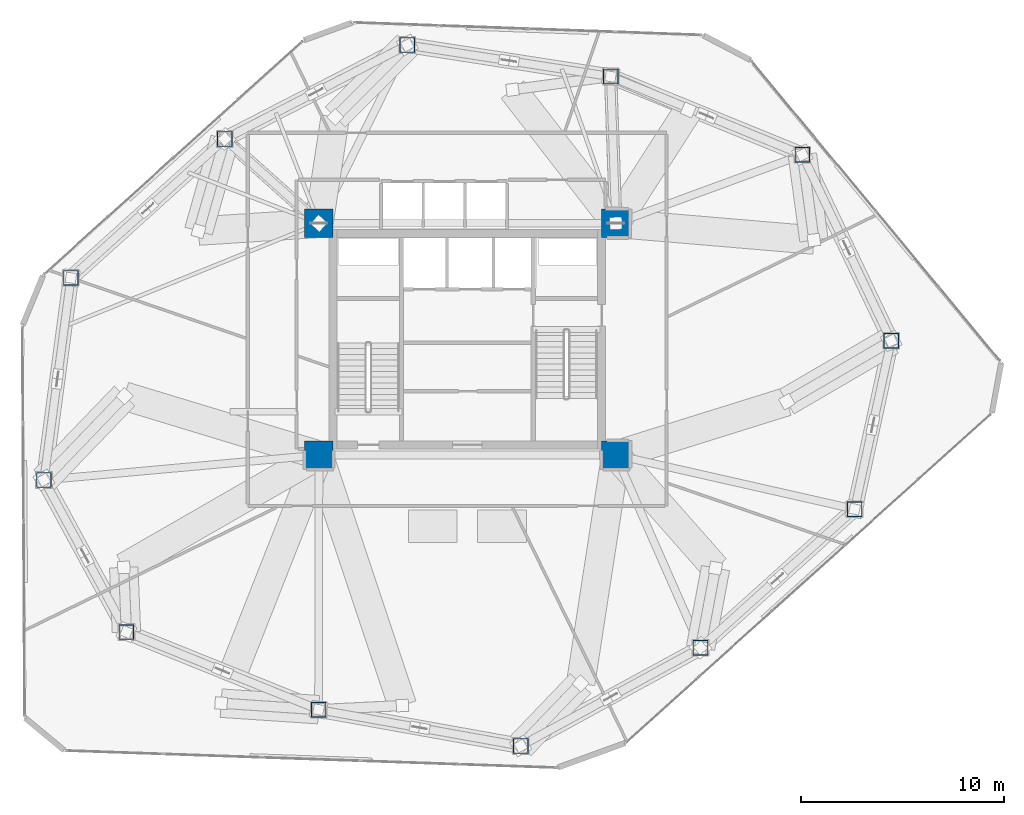
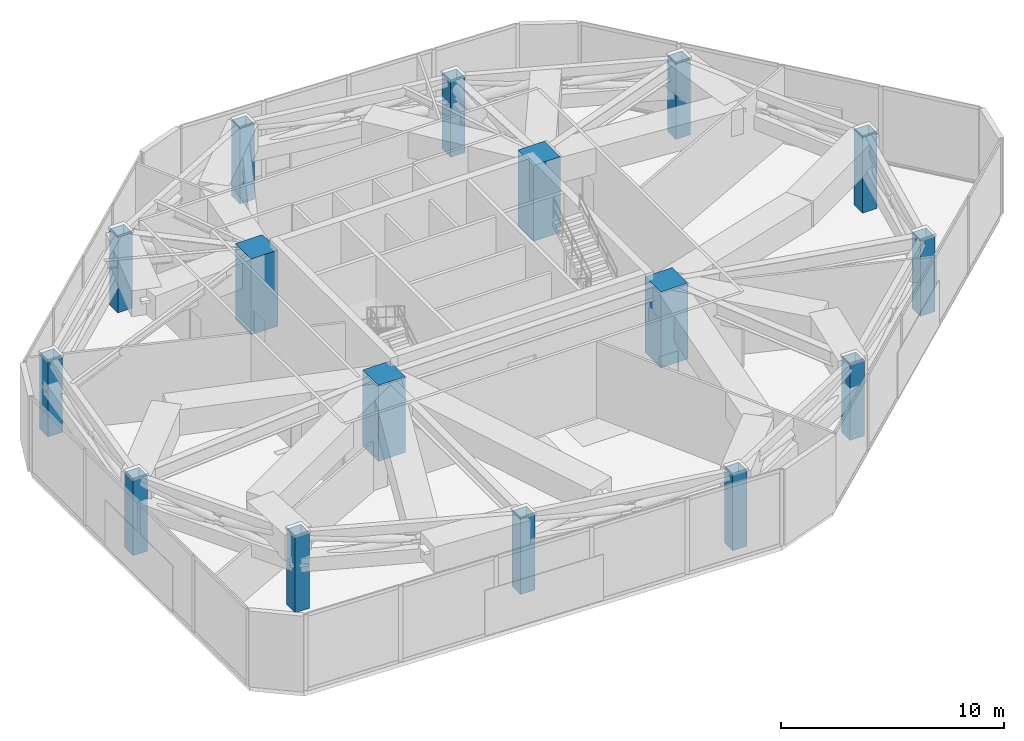
# One storey, part 1 of 25: 16 columns.
"""IFC4 building model written with IfcOpenShell, lengths in metres."""

from ifc_helpers import new_model, si_unit, direction, frame, origin, origin_2d, place, context, subcontext, project, spatial, rectangle, hollow_rectangle, extrude, material, material_profile, profile_set, type_object, element, save


model = new_model("IFC4")

# Units and contexts
model_context = context("Model", 3, precision=1e-05, world=origin(), true_north=direction((0.0, 1.0)))
body_context = subcontext(model_context, "Body", "Model", "MODEL_VIEW")
ifc_project = project(units=[si_unit("LENGTHUNIT", "METRE"), si_unit("AREAUNIT", "SQUARE_METRE"), si_unit("VOLUMEUNIT", "CUBIC_METRE"), si_unit("PLANEANGLEUNIT", "RADIAN"), si_unit("MASSUNIT", "GRAM", prefix="KILO")], contexts=[model_context])

# Site, building, storey
site_placement = place(None, origin())
site = spatial("IfcSite", under=ifc_project, at=site_placement, CompositionType="ELEMENT")
building_placement = place(site_placement, origin())
building = spatial("IfcBuilding", under=site, at=building_placement, Name="Talar Marvaseh", CompositionType="ELEMENT")
storey_placement = place(building_placement, frame((0.0, 0.0, 84.800048828125)))
storey = spatial("IfcBuildingStorey", under=building, at=storey_placement, Name="L21", CompositionType="ELEMENT", Elevation=84.800048828125)

# Columns
ifc_material_1 = material(Name="Steel S460", Category="steel")
ifc_material_profile_1 = material_profile(ifc_material_1, hollow_rectangle(XDim=0.75, YDim=0.75, WallThickness=0.0400390625, at=origin_2d()), Name="BOX750x750x40")
ifc_profile_set_1 = profile_set([ifc_material_profile_1], Name="Steel S460")
column_type_1 = type_object("IfcColumnType", Name="Belt Truss Post BOX750x750x40", PredefinedType="COLUMN", material=ifc_profile_set_1)
for number, where, z_axis, x_axis, name in (
    (1, (42.47705078125, 40.26904296875, 0.0), (0.0, 0.0, 1.0), (1.0, 0.0, 0.0), "L21 Belt Truss Post BOX750x750x40"),
    (2, (46.841064453125, 31.118896484375, 0.0), (0.0, 0.0, 1.0), (1.0, 0.0, 0.0), "L21 Belt Truss Post BOX750x750x40"),
    (3, (45.0439453125, 22.840087890625, 0.0), (0.0, 0.0, 1.0), (1.0, 0.0, 0.0), "L21 Belt Truss Post BOX750x750x40"),
    (4, (37.468017578125, 16.02099609375, 0.0), (0.0, 0.0, 1.0), (1.0, 0.0, 0.0), "L21 Belt Truss Post BOX750x750x40"),
    (5, (28.625, 11.195068359375, 0.0), (0.0, 0.0, 1.0), (1.0, 0.0, 0.0), "L21 Belt Truss Post BOX750x750x40"),
    (6, (18.68310546875, 12.97900390625, 0.0), (0.0, 0.0, 1.0), (1.0, 0.0, 0.0), "L21 Belt Truss Post BOX750x750x40"),
    (7, (9.23193359375, 16.7958984375, 0.0), (0.0, 0.0, 1.0), (1.0, 0.0, 0.0), "L21 Belt Truss Post BOX750x750x40"),
    (8, (5.175048828125, 24.27587890625, 0.0), (0.0, 0.0, 1.0), (1.0, 0.0, 0.0), "L21 Belt Truss Post BOX750x750x40"),
    (9, (6.501953125, 34.214111328125, 0.0), (0.0, 0.0, 1.0), (1.0, 0.0, 0.0), "L21 Belt Truss Post BOX750x750x40"),
    (10, (14.069091796875, 41.04296875, 0.0), (0.0, 0.0, 1.0), (1.0, 0.0, 0.0), "L21 Belt Truss Post BOX750x750x40"),
    (11, (23.047119140625, 45.6669921875, 0.0), (0.0, 0.0, 1.0), (1.0, 0.0, 0.0), "L21 Belt Truss Post BOX750x750x40"),
    (12, (33.0458984375, 44.117919921875, 0.0), (0.0, 0.0, 1.0), (1.0, 0.0, 0.0), "L21 Belt Truss Post BOX750x750x40"),
):
    element("IfcColumn", number, at=place(storey_placement, frame(where, z_axis=z_axis, x_axis=x_axis)), inside=storey, type_object=column_type_1, Name=name, PredefinedType="COLUMN", context=body_context, shape_type="SweptSolid", body=[
        extrude(hollow_rectangle(XDim=0.75, YDim=0.75, WallThickness=0.0400390625, at=origin_2d()), origin(), (0.0, 0.0, 1.0), 4.14990234375),
    ])
ifc_material_2 = material(Name="Concrete C70/85", Category="concrete")
ifc_material_profile_2 = material_profile(ifc_material_2, rectangle(XDim=1.39990234375, YDim=1.39990234375, at=origin_2d()), Name="RC1400x1400")
ifc_profile_set_2 = profile_set([ifc_material_profile_2], Name="Concrete C70/85")
column_type_2 = type_object("IfcColumnType", Name="Zone 1 Tube Column RC1400x1400", PredefinedType="COLUMN", material=ifc_profile_set_2)
for number, where, z_axis, x_axis, name in (
    (13, (18.699951171875, 25.5, 0.0), (0.0, 0.0, 1.0), (1.0, 0.0, 0.0), "L21 Zone 1 Tube Column RC1400x1400"),
    (14, (33.300048828125, 25.5, 0.0), (0.0, 0.0, 1.0), (1.0, 0.0, 0.0), "L21 Zone 1 Tube Column RC1400x1400"),
    (15, (33.300048828125, 36.89990234375, 0.0), (0.0, 0.0, 1.0), (1.0, 0.0, 0.0), "L21 Zone 1 Tube Column RC1400x1400"),
    (16, (18.699951171875, 36.89990234375, 0.0), (0.0, 0.0, 1.0), (1.0, 0.0, 0.0), "L21 Zone 1 Tube Column RC1400x1400"),
):
    element("IfcColumn", number, at=place(storey_placement, frame(where, z_axis=z_axis, x_axis=x_axis)), inside=storey, type_object=column_type_2, Name=name, PredefinedType="COLUMN", context=body_context, shape_type="SweptSolid", body=[
        extrude(rectangle(XDim=1.39990234375, YDim=1.39990234375, at=origin_2d()), origin(), (0.0, 0.0, 1.0), 4.14990234375),
    ])

save(model, "model.ifc")
